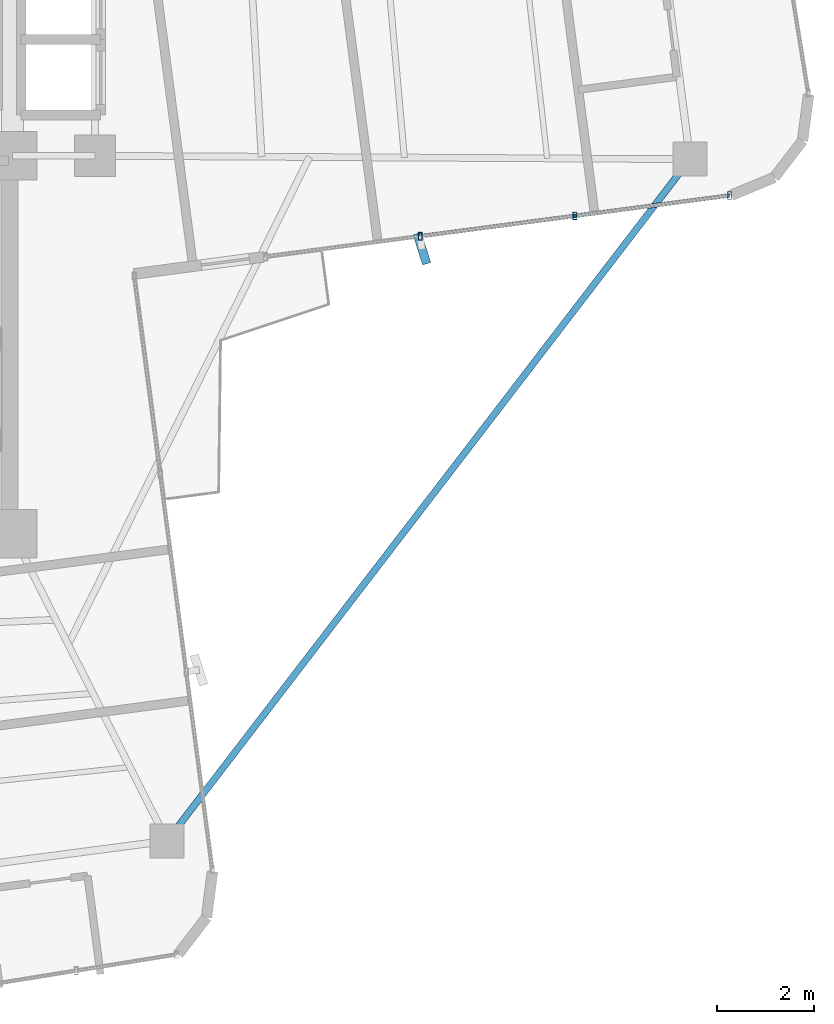
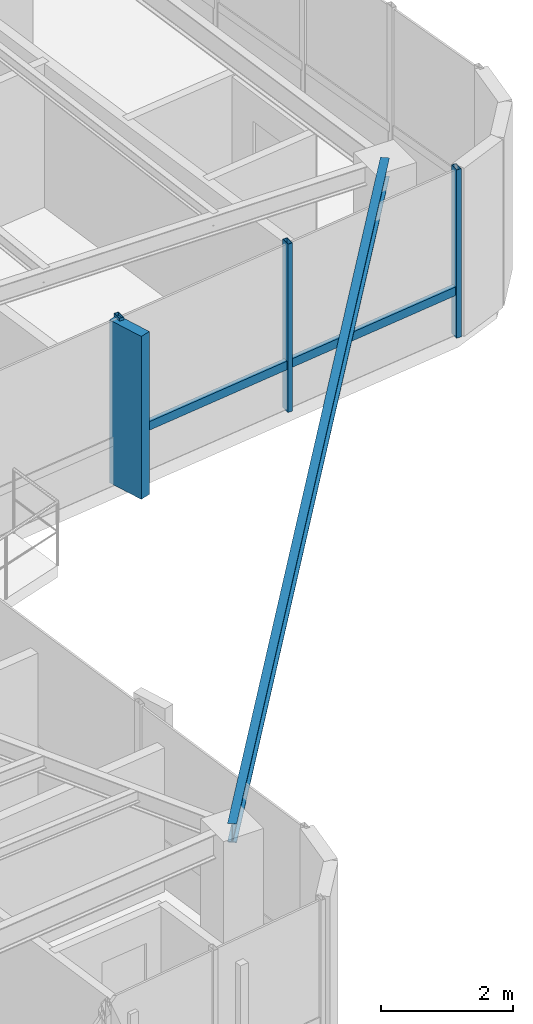
# One storey, part 12 of 22: 6 members, 1 beam, 1 element without a shape of its own.
"""IFC4 building model written with IfcOpenShell, lengths in metres."""

from ifc_helpers import new_model, si_unit, direction, frame, origin, origin_2d, place, context, subcontext, project, spatial, rectangle, hollow_rectangle, i_section, extrude, source, transform, mapped, material, material_profile, profile_set, type_object, element, aggregate, save


model = new_model("IFC4")

# Units and contexts
model_context = context("Model", 3, precision=1e-05, world=origin(), true_north=direction((0.0, 1.0)))
body_context = subcontext(model_context, "Body", "Model", "MODEL_VIEW")
ifc_project = project(units=[si_unit("LENGTHUNIT", "METRE"), si_unit("AREAUNIT", "SQUARE_METRE"), si_unit("VOLUMEUNIT", "CUBIC_METRE"), si_unit("PLANEANGLEUNIT", "RADIAN"), si_unit("MASSUNIT", "GRAM", prefix="KILO")], contexts=[model_context])

# Site, building, storey
site_placement = place(None, origin())
site = spatial("IfcSite", under=ifc_project, at=site_placement, CompositionType="ELEMENT")
building_placement = place(site_placement, origin())
building = spatial("IfcBuilding", under=site, at=building_placement, Name="Sahyath Konkavel Grand Hotel", CompositionType="ELEMENT")
storey_placement = place(building_placement, frame((0.0, 0.0, 241.14990234375)))
storey = spatial("IfcBuildingStorey", under=building, at=storey_placement, Name="L67", CompositionType="ELEMENT", Elevation=241.14990234375)

# Beam
ifc_material_1 = material(Name="Steel E350", Category="steel")
ifc_material_profile_1 = material_profile(ifc_material_1, i_section(OverallWidth=0.139892578125, OverallDepth=0.35009765625, WebThickness=0.008056640625, FlangeThickness=0.01416015625, FilletRadius=0.013916015625, at=origin_2d()), Name="ISMB 350")
ifc_profile_set_1 = profile_set([ifc_material_profile_1], Name="Steel E350")
beam_type = type_object("IfcBeamType", Name="BM-ISMB350", PredefinedType="BEAM", material=ifc_profile_set_1)
shared_shape_1 = source(origin(), body_context, "Body", "SweptSolid", [
    extrude(i_section(OverallWidth=0.139892578125, OverallDepth=0.35009765625, WebThickness=0.008056640625, FlangeThickness=0.01416015625, FilletRadius=0.013916015625, at=origin_2d()), origin(), (0.0, 0.0, 1.0), 17.728515625),
])
beam_placement = place(storey_placement, frame((17.78173828125, -2.47119140625, 2.93505859375), z_axis=(-0.608763961886, -0.79335139674, 0.0), x_axis=(0.79335139674, -0.608763961886, 0.0)))
element("IfcBeam", 1, at=beam_placement, inside=storey, type_object=beam_type, Name="L67 Re-Entrant Tie Beam SE", PredefinedType="BEAM", context=body_context, shape_type="MappedRepresentation", body=[
    mapped(shared_shape_1, transform((0.0, 0.0, 0.0), scale=1.0)),
])

# Curtain wall, members
ifc_material_2 = material(Name="Anodised Bronze Aluminium & Low-E Glazing", Category="aluminium")
curtain_wall_type = type_object("IfcCurtainWallType", Name="CW-ZONE4", PredefinedType="NOTDEFINED", material=ifc_material_2)
curtain_wall_placement = place(storey_placement, origin())
curtain_wall = element("IfcCurtainWall", 2, at=curtain_wall_placement, inside=storey, type_object=curtain_wall_type, Name="L67 Unitised Curtain Wall F0", PredefinedType="NOTDEFINED")
ifc_material_3 = material(Name="Warm Buff Sandstone Cladding on Concrete C50/60", Category="masonry")
ifc_material_profile_2 = material_profile(ifc_material_3, rectangle(XDim=0.179931640625, YDim=0.64990234375, at=origin_2d()), Name="FIN 180x650")
ifc_profile_set_2 = profile_set([ifc_material_profile_2], Name="Warm Buff Sandstone Cladding on Concrete C50/60")
member_type_1 = type_object("IfcMemberType", Name="FIN-SANDSTONE-650", PredefinedType="MULLION", material=ifc_profile_set_2)
shared_shape_2 = source(origin(), body_context, "Body", "SweptSolid", [
    extrude(rectangle(XDim=0.179931640625, YDim=0.64990234375, at=origin_2d()), origin(), (0.0, 0.0, 1.0), 3.010009765625),
])
member_1_placement = place(storey_placement, frame((12.248291015625, -4.3193359375, 0.050048828125), z_axis=(0.0, 0.0, 1.0), x_axis=(0.952767550771, 0.303700500819, 0.0)))
member_1 = element("IfcMember", 3, at=member_1_placement, type_object=member_type_1, Name="L67 Sandstone Vertical Solar Fin FIN F0-1", PredefinedType="MULLION", context=body_context, shape_type="MappedRepresentation", body=[
    mapped(shared_shape_2, transform((0.0, 0.0, 0.0), scale=1.0)),
])
ifc_material_4 = material(Name="Anodised Bronze Aluminium", Category="aluminium")
ifc_material_profile_3 = material_profile(ifc_material_4, hollow_rectangle(XDim=0.080078125, YDim=0.159912109375, WallThickness=0.006103515625, at=origin_2d()), Name="RHS 160x80x6")
ifc_profile_set_3 = profile_set([ifc_material_profile_3], Name="Anodised Bronze Aluminium")
member_type_2 = type_object("IfcMemberType", Name="CW-MUL-160", PredefinedType="MULLION", material=ifc_profile_set_3)
shared_shape_3 = source(origin(), body_context, "Body", "SweptSolid", [
    extrude(hollow_rectangle(XDim=0.080078125, YDim=0.159912109375, WallThickness=0.006103515625, at=origin_2d()), origin(), (0.0, 0.0, 1.0), 3.110107421875),
])
member_2_placement = place(storey_placement, frame((12.21435546875, -4.0615234375, 0.0), z_axis=(0.0, 0.0, 1.0), x_axis=(1.0, 0.0, 0.0)))
member_2 = element("IfcMember", 4, at=member_2_placement, type_object=member_type_2, Name="L67 Curtain Wall Mullion F0-1", PredefinedType="MULLION", context=body_context, shape_type="MappedRepresentation", body=[
    mapped(shared_shape_3, transform((0.0, 0.0, 0.0), scale=1.0)),
])
member_3_placement = place(storey_placement, frame((15.405517578125, -3.641357421875, 0.0), z_axis=(0.0, 0.0, 1.0), x_axis=(1.0, 0.0, 0.0)))
member_3 = element("IfcMember", 5, at=member_3_placement, type_object=member_type_2, Name="L67 Curtain Wall Mullion F0-2", PredefinedType="MULLION", context=body_context, shape_type="MappedRepresentation", body=[
    mapped(shared_shape_3, transform((0.0, 0.0, 0.0), scale=1.0)),
])
member_4_placement = place(storey_placement, frame((18.596435546875, -3.22119140625, 0.0), z_axis=(0.0, 0.0, 1.0), x_axis=(1.0, 0.0, 0.0)))
member_4 = element("IfcMember", 6, at=member_4_placement, type_object=member_type_2, Name="L67 Curtain Wall Mullion F0-3", PredefinedType="MULLION", context=body_context, shape_type="MappedRepresentation", body=[
    mapped(shared_shape_3, transform((0.0, 0.0, 0.0), scale=1.0)),
])
ifc_material_profile_4 = material_profile(ifc_material_4, hollow_rectangle(XDim=0.080078125, YDim=0.159912109375, WallThickness=0.006103515625, at=origin_2d()), Name="RHS 160x80x6")
ifc_profile_set_4 = profile_set([ifc_material_profile_4], Name="Anodised Bronze Aluminium")
member_type_3 = type_object("IfcMemberType", Name="CW-TRN-160", PredefinedType="USERDEFINED", material=ifc_profile_set_4)
shared_shape_4 = source(origin(), body_context, "Body", "SweptSolid", [
    extrude(hollow_rectangle(XDim=0.080078125, YDim=0.159912109375, WallThickness=0.006103515625, at=origin_2d()), origin(), (0.0, 0.0, 1.0), 3.21875),
])
member_5_placement = place(storey_placement, frame((12.21435546875, -4.0615234375, 0.85009765625), z_axis=(0.991443190606, 0.130538882337, 0.0), x_axis=(-0.130538882337, 0.991443190606, 0.0)))
member_5 = element("IfcMember", 7, at=member_5_placement, type_object=member_type_3, Name="L67 Curtain Wall Transom F0-1-spandrel", ObjectType="TRANSOM", PredefinedType="USERDEFINED", context=body_context, shape_type="MappedRepresentation", body=[
    mapped(shared_shape_4, transform((0.0, 0.0, 0.0), scale=1.0)),
])
shared_shape_5 = source(origin(), body_context, "Body", "SweptSolid", [
    extrude(hollow_rectangle(XDim=0.080078125, YDim=0.159912109375, WallThickness=0.006103515625, at=origin_2d()), origin(), (0.0, 0.0, 1.0), 3.218505859375),
])
member_6_placement = place(storey_placement, frame((15.405517578125, -3.641357421875, 0.85009765625), z_axis=(0.991441897935, 0.130548699797, 0.0), x_axis=(-0.130548699797, 0.991441897935, 0.0)))
member_6 = element("IfcMember", 8, at=member_6_placement, type_object=member_type_3, Name="L67 Curtain Wall Transom F0-2-spandrel", ObjectType="TRANSOM", PredefinedType="USERDEFINED", context=body_context, shape_type="MappedRepresentation", body=[
    mapped(shared_shape_5, transform((0.0, 0.0, 0.0), scale=1.0)),
])
aggregate(curtain_wall, [member_2, member_1, member_3, member_4, member_5, member_6])

save(model, "model.ifc")
